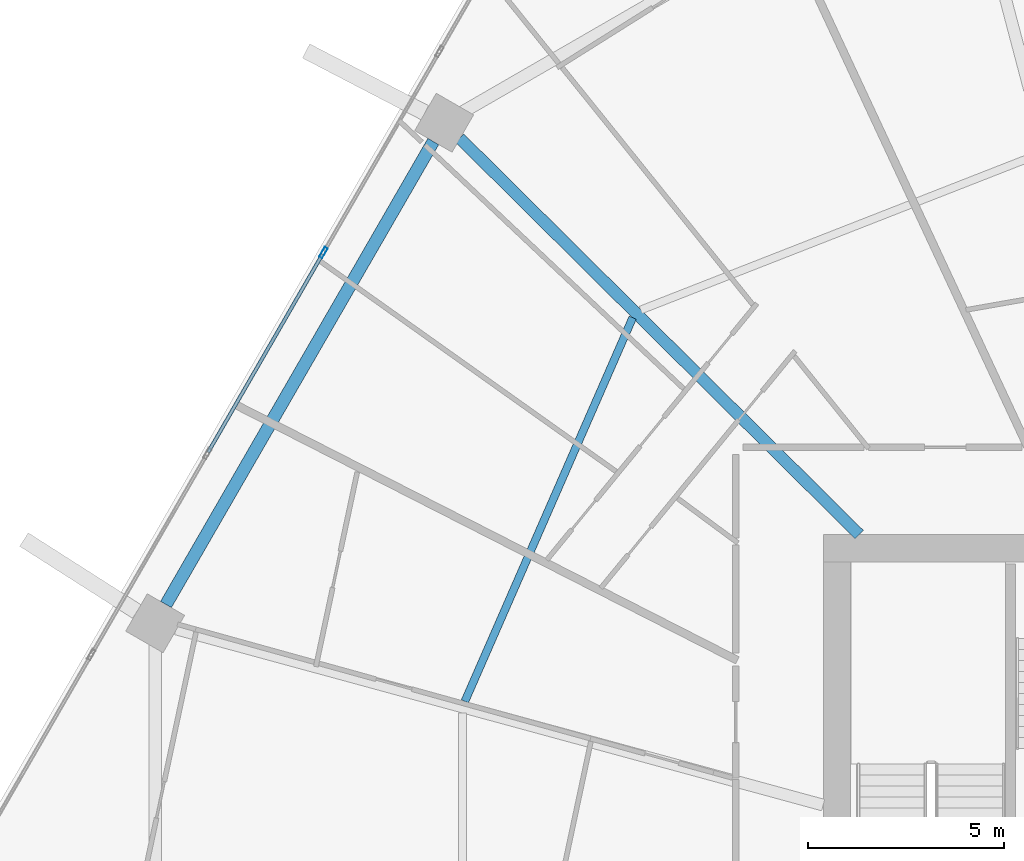
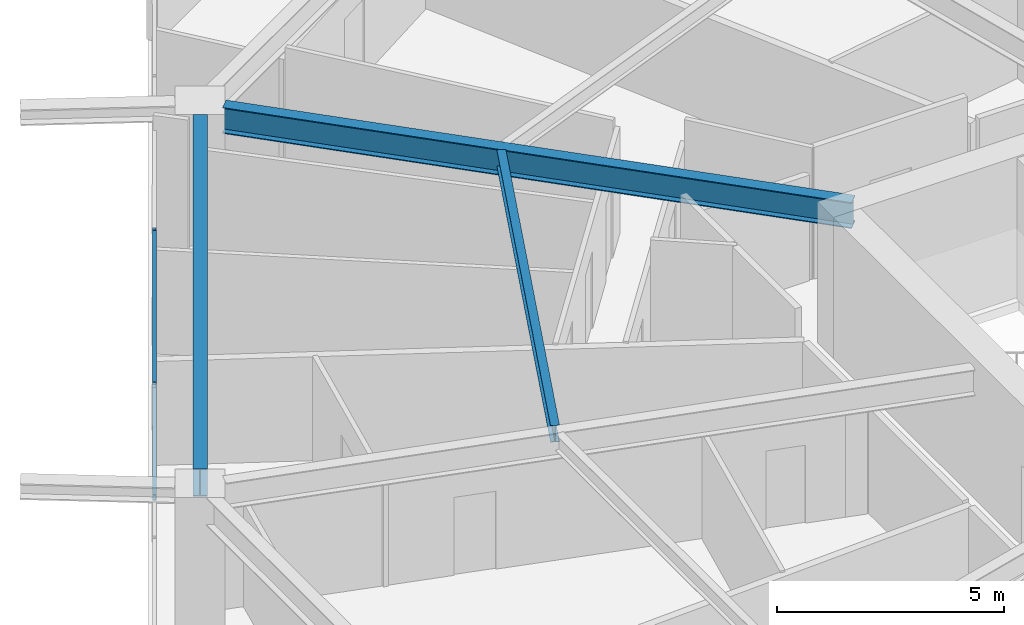
# One storey, part 14 of 33: 3 beams, 3 members, 1 element without a shape of its own.
"""IFC4 building model written with IfcOpenShell, lengths in metres."""

from ifc_helpers import new_model, si_unit, direction, frame, origin, origin_2d, place, context, subcontext, project, spatial, hollow_rectangle, i_section, extrude, material, material_profile, profile_set, type_object, element, aggregate, save


model = new_model("IFC4")

# Units and contexts
model_context = context("Model", 3, precision=1e-05, world=origin(), true_north=direction((0.0, 1.0)))
body_context = subcontext(model_context, "Body", "Model", "MODEL_VIEW")
ifc_project = project(units=[si_unit("LENGTHUNIT", "METRE"), si_unit("AREAUNIT", "SQUARE_METRE"), si_unit("VOLUMEUNIT", "CUBIC_METRE"), si_unit("PLANEANGLEUNIT", "RADIAN"), si_unit("MASSUNIT", "GRAM", prefix="KILO")], contexts=[model_context])

# Site, building, storey
site_placement = place(None, origin())
site = spatial("IfcSite", under=ifc_project, at=site_placement, CompositionType="ELEMENT")
building_placement = place(site_placement, origin())
building = spatial("IfcBuilding", under=site, at=building_placement, Name="Zuhravey Tower", CompositionType="ELEMENT")
storey_placement = place(building_placement, frame((0.0, 0.0, 126.60009765625)))
storey = spatial("IfcBuildingStorey", under=building, at=storey_placement, Name="L31", CompositionType="ELEMENT", Elevation=126.60009765625)

# Curtain wall, members
ifc_material_1 = material(Name="Thermally broken anodised aluminium", Category="aluminium")
curtain_wall_type = type_object("IfcCurtainWallType", Name="Zone 1-2 Residential Curtain Wall CW3", PredefinedType="NOTDEFINED", material=ifc_material_1)
curtain_wall_placement = place(storey_placement, origin())
curtain_wall = element("IfcCurtainWall", 1, at=curtain_wall_placement, inside=storey, type_object=curtain_wall_type, Name="L31 CW3 CW-L31-F3-1", PredefinedType="NOTDEFINED")
ifc_material_2 = material(Name="Anodised aluminium", Category="aluminium")
ifc_material_profile_1 = material_profile(ifc_material_2, hollow_rectangle(XDim=0.090087890625, YDim=0.284912109375, WallThickness=0.0048828125, at=origin_2d()), Name="ALU-RHS-90x285x5")
ifc_profile_set_1 = profile_set([ifc_material_profile_1], Name="Anodised aluminium")
member_type_1 = type_object("IfcMemberType", Name="Curtain-Wall Mullion 90x180", PredefinedType="MULLION", material=ifc_profile_set_1)
member_1_placement = place(storey_placement, frame((12.401123046875, 49.04248046875, 0.0), z_axis=(0.0, 0.0, 1.0), x_axis=(-0.86602552265, 0.499999794119, 0.0)))
member_1 = element("IfcMember", 2, at=member_1_placement, type_object=member_type_1, Name="CW3 mullion 4", PredefinedType="MULLION", context=body_context, shape_type="SweptSolid", body=[
    extrude(hollow_rectangle(XDim=0.090087890625, YDim=0.284912109375, WallThickness=0.0048828125, at=origin_2d()), origin(), (0.0, 0.0, 1.0), 3.121826171875),
])
ifc_material_profile_2 = material_profile(ifc_material_2, hollow_rectangle(XDim=0.090087890625, YDim=0.14990234375, WallThickness=0.0048828125, at=origin_2d()), Name="ALU-RHS-90x150x5")
ifc_profile_set_2 = profile_set([ifc_material_profile_2], Name="Anodised aluminium")
member_type_2 = type_object("IfcMemberType", Name="Curtain-Wall Transom 90x150", PredefinedType="USERDEFINED", material=ifc_profile_set_2)
member_2_placement = place(storey_placement, frame((9.4638671875, 43.954833984375, 0.044921875), z_axis=(0.499981042766, 0.866036348472, 0.0), x_axis=(-0.866036348472, 0.499981042766, 0.0)))
member_2 = element("IfcMember", 3, at=member_2_placement, type_object=member_type_2, Name="CW3 transom 3.1", ObjectType="TRANSOM", PredefinedType="USERDEFINED", context=body_context, shape_type="SweptSolid", body=[
    extrude(hollow_rectangle(XDim=0.090087890625, YDim=0.14990234375, WallThickness=0.0048828125, at=origin_2d()), origin(), (0.0, 0.0, 1.0), 5.829833984375),
])
member_3_placement = place(storey_placement, frame((9.4638671875, 43.954833984375, 3.076904296875), z_axis=(0.499981042766, 0.866036348472, 0.0), x_axis=(-0.866036348472, 0.499981042766, 0.0)))
member_3 = element("IfcMember", 4, at=member_3_placement, type_object=member_type_2, Name="CW3 transom 3.2", ObjectType="TRANSOM", PredefinedType="USERDEFINED", context=body_context, shape_type="SweptSolid", body=[
    extrude(hollow_rectangle(XDim=0.090087890625, YDim=0.14990234375, WallThickness=0.0048828125, at=origin_2d()), origin(), (0.0, 0.0, 1.0), 5.829833984375),
])
aggregate(curtain_wall, [member_1, member_2, member_3])

# Beams
ifc_material_3 = material(Name="Steel SM355", Category="steel")
ifc_material_profile_3 = material_profile(ifc_material_3, i_section(OverallWidth=0.320068359375, OverallDepth=0.75, WebThickness=0.013916015625, FlangeThickness=0.02490234375, at=origin_2d()), Name="H-750x320x14x25")
ifc_profile_set_3 = profile_set([ifc_material_profile_3], Name="Steel SM355")
beam_type_1 = type_object("IfcBeamType", Name="Perimeter Ring Beam H750x320", PredefinedType="BEAM", material=ifc_profile_set_3)
beam_1_placement = place(storey_placement, frame((15.20458984375, 51.8779296875, 3.1748046875), z_axis=(-0.500008177929, -0.866020682204, 0.0), x_axis=(0.866020682204, -0.500008177929, 0.0)))
element("IfcBeam", 5, at=beam_1_placement, inside=storey, type_object=beam_type_1, Name="L31 PB1 BM-L31-PB-05", PredefinedType="BEAM", context=body_context, shape_type="SweptSolid", body=[
    extrude(i_section(OverallWidth=0.320068359375, OverallDepth=0.75, WebThickness=0.013916015625, FlangeThickness=0.02490234375, at=origin_2d()), origin(), (0.0, 0.0, 1.0), 13.634033203125),
])
ifc_material_profile_4 = material_profile(ifc_material_3, i_section(OverallWidth=0.300048828125, OverallDepth=0.699951171875, WebThickness=0.012939453125, FlangeThickness=0.02392578125, at=origin_2d()), Name="H-700x300x13x24")
ifc_profile_set_4 = profile_set([ifc_material_profile_4], Name="Steel SM355")
beam_type_2 = type_object("IfcBeamType", Name="Radial Primary Girder H700x300", PredefinedType="BEAM", material=ifc_profile_set_4)
beam_2_placement = place(storey_placement, frame((26.068603515625, 41.85302734375, 3.199951171875), z_axis=(-0.709906230344, 0.704296204816, 0.0), x_axis=(-0.704296204816, -0.709906230344, 0.0)))
element("IfcBeam", 6, at=beam_2_placement, inside=storey, type_object=beam_type_2, Name="L31 RG1 BM-L31-RAD-05", PredefinedType="BEAM", context=body_context, shape_type="SweptSolid", body=[
    extrude(i_section(OverallWidth=0.300048828125, OverallDepth=0.699951171875, WebThickness=0.012939453125, FlangeThickness=0.02392578125, at=origin_2d()), origin(), (0.0, 0.0, 1.0), 14.361083984375),
])
ifc_material_profile_5 = material_profile(ifc_material_3, i_section(OverallWidth=0.199951171875, OverallDepth=0.449951171875, WebThickness=0.009033203125, FlangeThickness=0.013916015625, at=origin_2d()), Name="H-450x200x9x14")
ifc_profile_set_5 = profile_set([ifc_material_profile_5], Name="Steel SM355")
beam_type_3 = type_object("IfcBeamType", Name="Secondary Floor Joist H450x200", PredefinedType="JOIST", material=ifc_profile_set_5)
beam_3_placement = place(storey_placement, frame((20.28955078125, 47.384033203125, 3.324951171875), z_axis=(-0.400786454617, -0.916171500209, 0.0), x_axis=(0.916171500209, -0.400786454617, 0.0)))
element("IfcBeam", 7, at=beam_3_placement, inside=storey, type_object=beam_type_3, Name="L31 SJ1 BM-L31-SJ-05-1", PredefinedType="JOIST", context=body_context, shape_type="SweptSolid", body=[
    extrude(i_section(OverallWidth=0.199951171875, OverallDepth=0.449951171875, WebThickness=0.009033203125, FlangeThickness=0.013916015625, at=origin_2d()), origin(), (0.0, 0.0, 1.0), 10.6796875),
])

save(model, "model.ifc")
